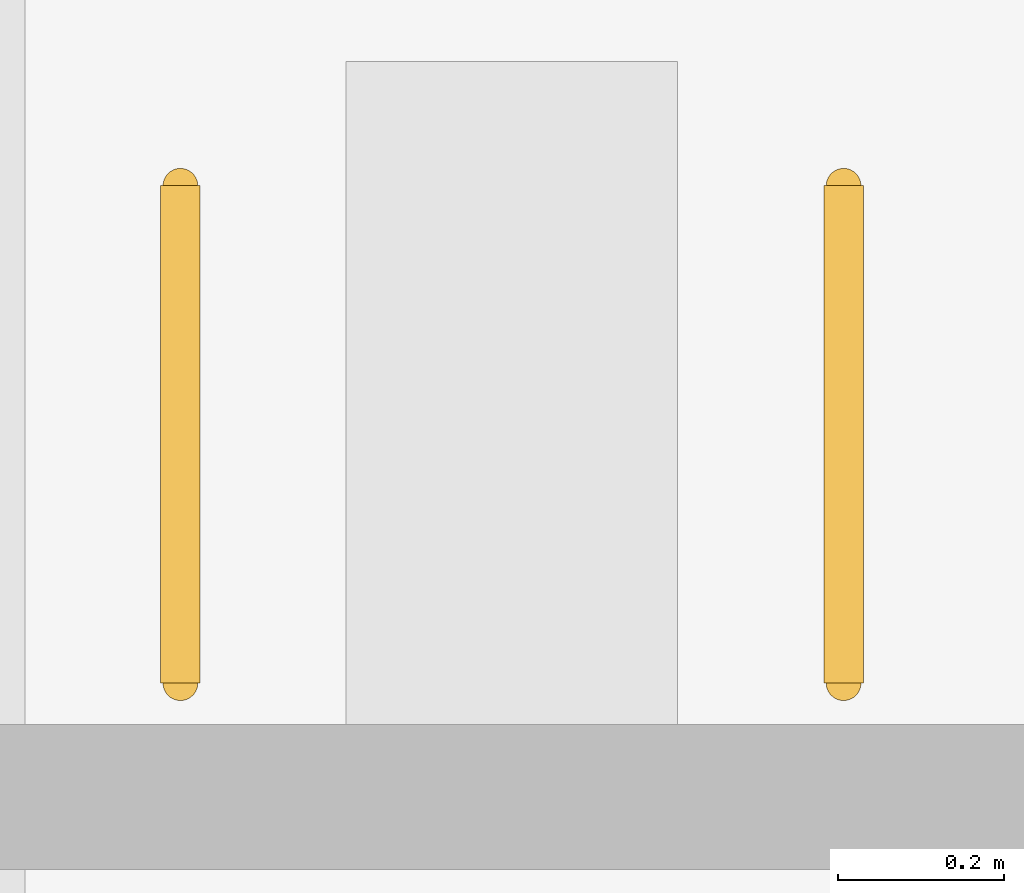
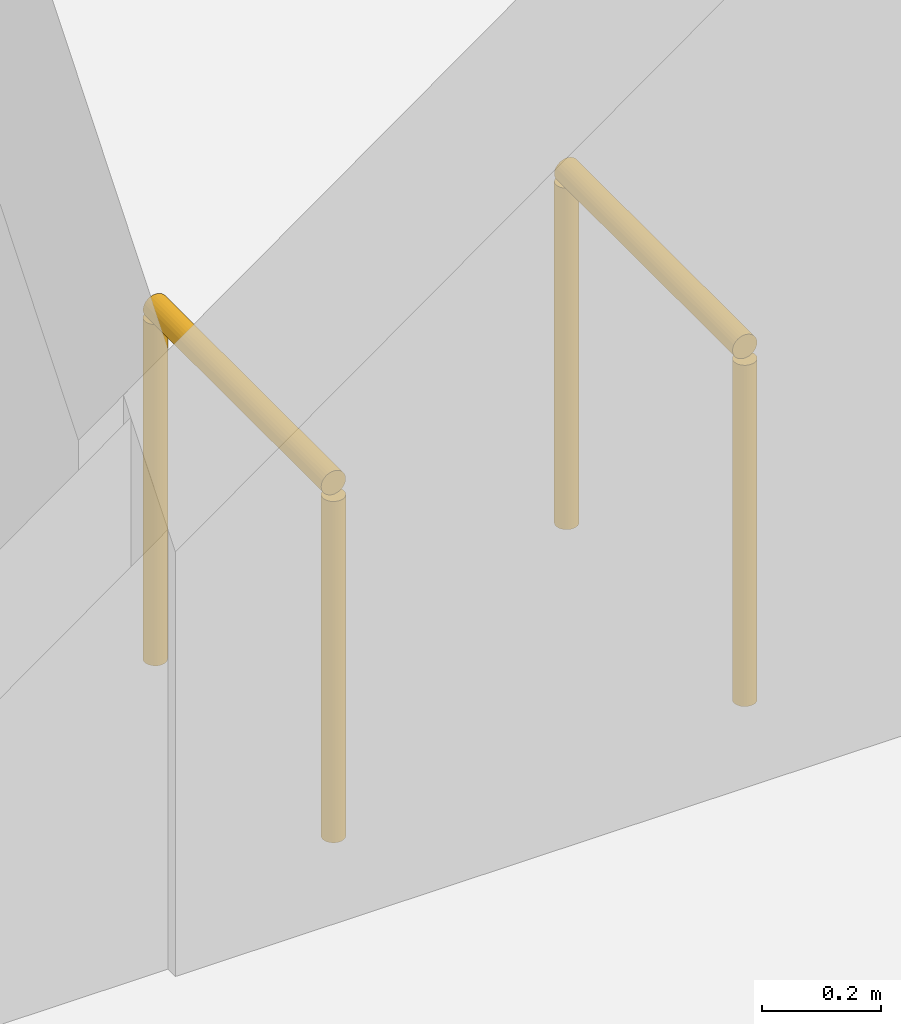
# One storey, part 227 of 250: 2 railings.
"""IFC4 building model written with IfcOpenShell, lengths in metres."""

from ifc_helpers import new_model, si_unit, direction, frame, origin, origin_2d, place, context, subcontext, project, spatial, circle, extrude, material, type_object, element, save


model = new_model("IFC4")

# Units and contexts
model_context = context("Model", 3, precision=1e-05, world=origin(), true_north=direction((0.0, 1.0)))
body_context = subcontext(model_context, "Body", "Model", "MODEL_VIEW")
ifc_project = project(units=[si_unit("LENGTHUNIT", "METRE"), si_unit("AREAUNIT", "SQUARE_METRE"), si_unit("VOLUMEUNIT", "CUBIC_METRE"), si_unit("PLANEANGLEUNIT", "RADIAN"), si_unit("MASSUNIT", "GRAM", prefix="KILO")], contexts=[model_context])

# Site, building, storey
site_placement = place(None, origin())
site = spatial("IfcSite", under=ifc_project, at=site_placement, CompositionType="ELEMENT")
building_placement = place(site_placement, origin())
building = spatial("IfcBuilding", under=site, at=building_placement, Name="Baradari Gate Terminus", CompositionType="ELEMENT")
storey_placement = place(building_placement, origin())
storey = spatial("IfcBuildingStorey", under=building, at=storey_placement, Name="L00", CompositionType="ELEMENT", Elevation=0.0)

# Railings
ifc_material = material(Name="Stainless steel 1.4301", Category="steel")
railing_type = type_object("IfcRailingType", Name="Grab rail GB-1 750", PredefinedType="HANDRAIL", material=ifc_material)
for number, where, name in (
    (1, (144.4375, 21.137451171875, 0.0), "Grab rail Accessible WC"),
    (2, (145.237548828125, 21.137451171875, 0.0), "Grab rail Accessible WC"),
):
    element("IfcRailing", number, at=place(storey_placement, frame(where)), inside=storey, type_object=railing_type, Name=name, PredefinedType="HANDRAIL", context=body_context, shape_type="SweptSolid", body=[
        extrude(circle(Radius=0.02392578125, at=origin_2d()), frame((0.0, 0.0, 0.72607421875), z_axis=(0.0, 1.0, 0.0), x_axis=(-1.0, 0.0, 0.0)), (0.0, 0.0, 1.0), 0.60009765625),
        extrude(circle(Radius=0.02099609375, at=origin_2d()), origin(), (0.0, 0.0, 1.0), 0.701904296875),
        extrude(circle(Radius=0.02099609375, at=origin_2d()), frame((0.0, 0.60009765625, 0.0)), (0.0, 0.0, 1.0), 0.701904296875),
    ])

save(model, "model.ifc")
